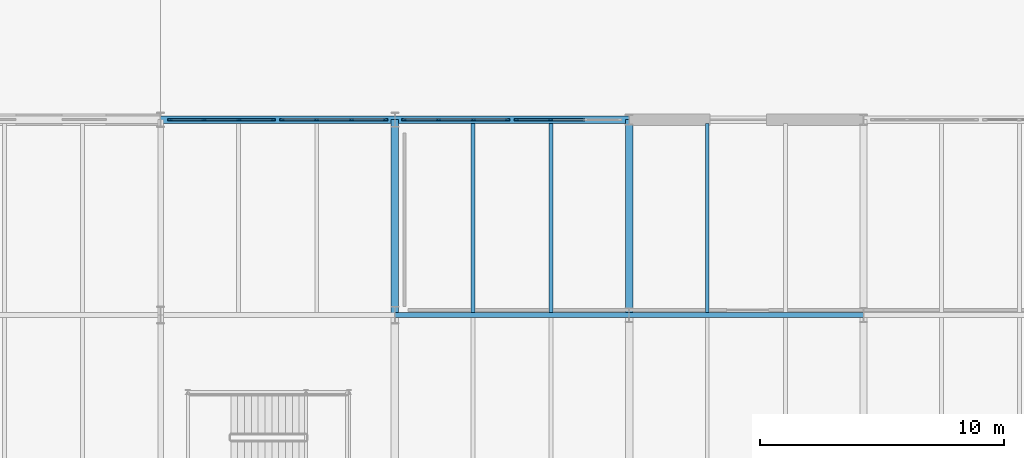
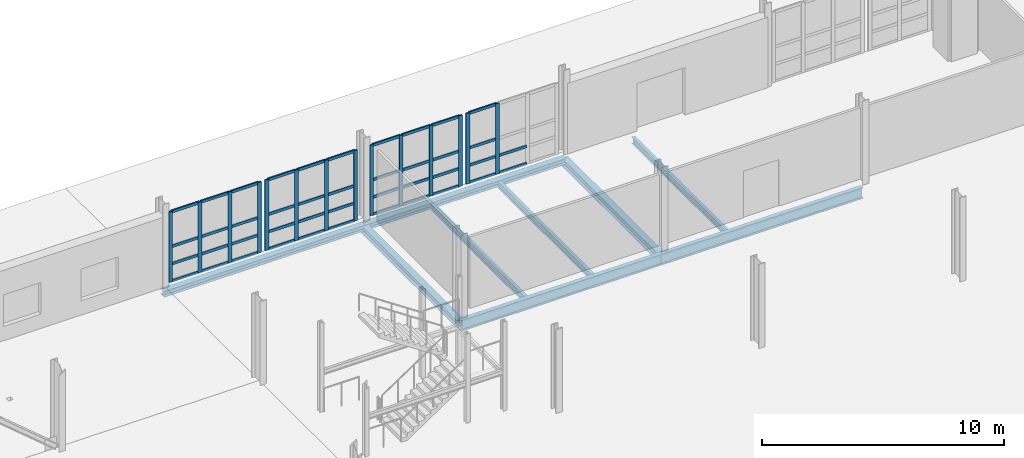
# One storey, part 38 of 78: 56 members, 9 beams, 4 elements without a shape of their own.
"""IFC4 building model written with IfcOpenShell, lengths in metres."""

from ifc_helpers import new_model, si_unit, direction, frame, origin, origin_2d, place, context, subcontext, project, spatial, rectangle, i_section, extrude, material, layer, layer_set, material_profile, profile_set, type_object, element, aggregate, save


model = new_model("IFC4")

# Units and contexts
model_context = context("Model", 3, precision=1e-05, world=origin(), true_north=direction((0.0, 1.0)))
body_context = subcontext(model_context, "Body", "Model", "MODEL_VIEW")
ifc_project = project(units=[si_unit("LENGTHUNIT", "METRE"), si_unit("AREAUNIT", "SQUARE_METRE"), si_unit("VOLUMEUNIT", "CUBIC_METRE"), si_unit("PLANEANGLEUNIT", "RADIAN"), si_unit("MASSUNIT", "GRAM", prefix="KILO")], contexts=[model_context])

# Site, building, storey
site_placement = place(None, origin())
site = spatial("IfcSite", under=ifc_project, at=site_placement, CompositionType="ELEMENT")
building_placement = place(site_placement, origin())
building = spatial("IfcBuilding", under=site, at=building_placement, Name="Alderhovde Museum", CompositionType="ELEMENT")
storey_placement = place(building_placement, origin())
storey = spatial("IfcBuildingStorey", under=building, at=storey_placement, Name="L00", CompositionType="ELEMENT", Elevation=0.0)

# Beams
ifc_material_1 = material(Name="Steel S355J2", Category="steel")
ifc_material_profile_1 = material_profile(ifc_material_1, i_section(OverallWidth=0.300048828125, OverallDepth=0.389892578125, WebThickness=0.010986328125, FlangeThickness=0.01904296875, FilletRadius=0.027099609375, at=origin_2d()), Name="HEA 400")
ifc_profile_set_1 = profile_set([ifc_material_profile_1], Name="Steel S355J2")
beam_type_1 = type_object("IfcBeamType", Name="BM-HEA400", PredefinedType="BEAM", material=ifc_profile_set_1)
for number, where, z_axis, x_axis, name in (
    (1, (86.39990234375, 80.0, -0.47509765625), (0.0, 1.0, 0.0), (-1.0, 0.0, 0.0), "L00 Grid Beam X=86.4 (80.0 TO 88.0)"),
    (2, (96.0, 80.0, -0.47509765625), (0.0, 1.0, 0.0), (-1.0, 0.0, 0.0), "L00 Grid Beam X=96.0 (80.0 TO 88.0)"),
):
    element("IfcBeam", number, at=place(storey_placement, frame(where, z_axis=z_axis, x_axis=x_axis)), inside=storey, type_object=beam_type_1, Name=name, PredefinedType="BEAM", context=body_context, shape_type="SweptSolid", body=[
        extrude(i_section(OverallWidth=0.300048828125, OverallDepth=0.389892578125, WebThickness=0.010986328125, FlangeThickness=0.01904296875, FilletRadius=0.027099609375, at=origin_2d()), origin(), (0.0, 0.0, 1.0), 8.0),
    ])
ifc_material_2 = material(Name="Steel S355J2", Category="steel")
ifc_material_profile_2 = material_profile(ifc_material_2, i_section(OverallWidth=0.2099609375, OverallDepth=0.550048828125, WebThickness=0.010986328125, FlangeThickness=0.01708984375, FilletRadius=0.02392578125, at=origin_2d()), Name="IPE 550")
ifc_profile_set_2 = profile_set([ifc_material_profile_2], Name="Steel S355J2")
beam_type_2 = type_object("IfcBeamType", Name="BM-IPE550", PredefinedType="BEAM", material=ifc_profile_set_2)
for number, where, z_axis, x_axis, name in (
    (3, (86.39990234375, 80.0, -0.554931640625), (1.0, 0.0, 0.0), (0.0, 1.0, 0.0), "L00 Grid Beam Y=80.0 (86.4 TO 96.0)"),
    (4, (96.0, 80.0, -0.554931640625), (1.0, 0.0, 0.0), (0.0, 1.0, 0.0), "L00 Grid Beam Y=80.0 (96.0 TO 105.6)"),
):
    element("IfcBeam", number, at=place(storey_placement, frame(where, z_axis=z_axis, x_axis=x_axis)), inside=storey, type_object=beam_type_2, Name=name, PredefinedType="BEAM", context=body_context, shape_type="SweptSolid", body=[
        extrude(i_section(OverallWidth=0.2099609375, OverallDepth=0.550048828125, WebThickness=0.010986328125, FlangeThickness=0.01708984375, FilletRadius=0.02392578125, at=origin_2d()), origin(), (0.0, 0.0, 1.0), 9.60009765625),
    ])

# Curtain wall, members
ifc_material_3 = material(Name="Triple-Glazed Bronze-Anodised Curtain Wall", Category="glass")
ifc_layer = layer(ifc_material_3, 0.179931640625)
ifc_layer_set = layer_set([ifc_layer], Name="Triple-Glazed Bronze-Anodised Curtain Wall")
curtain_wall_type = type_object("IfcCurtainWallType", Name="CW-UNIT-430x356", PredefinedType="USERDEFINED", material=ifc_layer_set)
curtain_wall_1_placement = place(storey_placement, origin())
curtain_wall_1 = element("IfcCurtainWall", 5, at=curtain_wall_1_placement, inside=storey, type_object=curtain_wall_type, Name="L00 Unitised Curtain Wall 11", ObjectType="UNITISED CURTAIN WALL", PredefinedType="USERDEFINED")
ifc_material_4 = material(Name="Bronze-Anodised Aluminium EN AW-6063-T6", Category="aluminium")
ifc_material_profile_3 = material_profile(ifc_material_4, rectangle(XDim=0.06494140625, YDim=0.179931640625, at=origin_2d()), Name="MULLION 65x180")
ifc_profile_set_3 = profile_set([ifc_material_profile_3], Name="Bronze-Anodised Aluminium EN AW-6063-T6")
member_type_1 = type_object("IfcMemberType", Name="CWM-65x180", PredefinedType="MULLION", material=ifc_profile_set_3)
member_1_placement = place(storey_placement, frame((77.1826171875, 88.0, 0.0), z_axis=(0.0, 0.0, 1.0), x_axis=(0.0, 1.0, 0.0)))
member_1 = element("IfcMember", 6, at=member_1_placement, type_object=member_type_1, Name="CW07 mullion 1", PredefinedType="MULLION", context=body_context, shape_type="SweptSolid", body=[
    extrude(rectangle(XDim=0.06494140625, YDim=0.179931640625, at=origin_2d()), origin(), (0.0, 0.0, 1.0), 3.56005859375),
])
member_2_placement = place(storey_placement, frame((78.583251953125, 88.0, 0.0), z_axis=(0.0, 0.0, 1.0), x_axis=(0.0, 1.0, 0.0)))
member_2 = element("IfcMember", 7, at=member_2_placement, type_object=member_type_1, Name="CW07 mullion 2", PredefinedType="MULLION", context=body_context, shape_type="SweptSolid", body=[
    extrude(rectangle(XDim=0.06494140625, YDim=0.179931640625, at=origin_2d()), origin(), (0.0, 0.0, 1.0), 3.56005859375),
])
member_3_placement = place(storey_placement, frame((80.0166015625, 88.0, 0.0), z_axis=(0.0, 0.0, 1.0), x_axis=(0.0, 1.0, 0.0)))
member_3 = element("IfcMember", 8, at=member_3_placement, type_object=member_type_1, Name="CW07 mullion 3", PredefinedType="MULLION", context=body_context, shape_type="SweptSolid", body=[
    extrude(rectangle(XDim=0.06494140625, YDim=0.179931640625, at=origin_2d()), origin(), (0.0, 0.0, 1.0), 3.56005859375),
])
member_4_placement = place(storey_placement, frame((81.41748046875, 88.0, 0.0), z_axis=(0.0, 0.0, 1.0), x_axis=(0.0, 1.0, 0.0)))
member_4 = element("IfcMember", 9, at=member_4_placement, type_object=member_type_1, Name="CW07 mullion 4", PredefinedType="MULLION", context=body_context, shape_type="SweptSolid", body=[
    extrude(rectangle(XDim=0.06494140625, YDim=0.179931640625, at=origin_2d()), origin(), (0.0, 0.0, 1.0), 3.56005859375),
])

curtain_wall_2_placement = place(storey_placement, origin())
curtain_wall_2 = element("IfcCurtainWall", 10, at=curtain_wall_2_placement, inside=storey, type_object=curtain_wall_type, Name="L00 Unitised Curtain Wall 12", ObjectType="UNITISED CURTAIN WALL", PredefinedType="USERDEFINED")
member_5_placement = place(storey_placement, frame((81.782470703125, 88.0, 0.0), z_axis=(0.0, 0.0, 1.0), x_axis=(0.0, 1.0, 0.0)))
member_5 = element("IfcMember", 11, at=member_5_placement, type_object=member_type_1, Name="CW07 mullion 1", PredefinedType="MULLION", context=body_context, shape_type="SweptSolid", body=[
    extrude(rectangle(XDim=0.06494140625, YDim=0.179931640625, at=origin_2d()), origin(), (0.0, 0.0, 1.0), 3.56005859375),
])
member_6_placement = place(storey_placement, frame((83.183349609375, 88.0, 0.0), z_axis=(0.0, 0.0, 1.0), x_axis=(0.0, 1.0, 0.0)))
member_6 = element("IfcMember", 12, at=member_6_placement, type_object=member_type_1, Name="CW07 mullion 2", PredefinedType="MULLION", context=body_context, shape_type="SweptSolid", body=[
    extrude(rectangle(XDim=0.06494140625, YDim=0.179931640625, at=origin_2d()), origin(), (0.0, 0.0, 1.0), 3.56005859375),
])
member_7_placement = place(storey_placement, frame((84.61669921875, 88.0, 0.0), z_axis=(0.0, 0.0, 1.0), x_axis=(0.0, 1.0, 0.0)))
member_7 = element("IfcMember", 13, at=member_7_placement, type_object=member_type_1, Name="CW07 mullion 3", PredefinedType="MULLION", context=body_context, shape_type="SweptSolid", body=[
    extrude(rectangle(XDim=0.06494140625, YDim=0.179931640625, at=origin_2d()), origin(), (0.0, 0.0, 1.0), 3.56005859375),
])
member_8_placement = place(storey_placement, frame((86.017578125, 88.0, 0.0), z_axis=(0.0, 0.0, 1.0), x_axis=(0.0, 1.0, 0.0)))
member_8 = element("IfcMember", 14, at=member_8_placement, type_object=member_type_1, Name="CW07 mullion 4", PredefinedType="MULLION", context=body_context, shape_type="SweptSolid", body=[
    extrude(rectangle(XDim=0.06494140625, YDim=0.179931640625, at=origin_2d()), origin(), (0.0, 0.0, 1.0), 3.56005859375),
])

curtain_wall_3_placement = place(storey_placement, origin())
curtain_wall_3 = element("IfcCurtainWall", 15, at=curtain_wall_3_placement, inside=storey, type_object=curtain_wall_type, Name="L00 Unitised Curtain Wall 13", ObjectType="UNITISED CURTAIN WALL", PredefinedType="USERDEFINED")
member_9_placement = place(storey_placement, frame((86.782470703125, 88.0, 0.0), z_axis=(0.0, 0.0, 1.0), x_axis=(0.0, 1.0, 0.0)))
member_9 = element("IfcMember", 16, at=member_9_placement, type_object=member_type_1, Name="CW07 mullion 1", PredefinedType="MULLION", context=body_context, shape_type="SweptSolid", body=[
    extrude(rectangle(XDim=0.06494140625, YDim=0.179931640625, at=origin_2d()), origin(), (0.0, 0.0, 1.0), 3.56005859375),
])
member_10_placement = place(storey_placement, frame((88.183349609375, 88.0, 0.0), z_axis=(0.0, 0.0, 1.0), x_axis=(0.0, 1.0, 0.0)))
member_10 = element("IfcMember", 17, at=member_10_placement, type_object=member_type_1, Name="CW07 mullion 2", PredefinedType="MULLION", context=body_context, shape_type="SweptSolid", body=[
    extrude(rectangle(XDim=0.06494140625, YDim=0.179931640625, at=origin_2d()), origin(), (0.0, 0.0, 1.0), 3.56005859375),
])
member_11_placement = place(storey_placement, frame((89.61669921875, 88.0, 0.0), z_axis=(0.0, 0.0, 1.0), x_axis=(0.0, 1.0, 0.0)))
member_11 = element("IfcMember", 18, at=member_11_placement, type_object=member_type_1, Name="CW07 mullion 3", PredefinedType="MULLION", context=body_context, shape_type="SweptSolid", body=[
    extrude(rectangle(XDim=0.06494140625, YDim=0.179931640625, at=origin_2d()), origin(), (0.0, 0.0, 1.0), 3.56005859375),
])
member_12_placement = place(storey_placement, frame((91.017578125, 88.0, 0.0), z_axis=(0.0, 0.0, 1.0), x_axis=(0.0, 1.0, 0.0)))
member_12 = element("IfcMember", 19, at=member_12_placement, type_object=member_type_1, Name="CW07 mullion 4", PredefinedType="MULLION", context=body_context, shape_type="SweptSolid", body=[
    extrude(rectangle(XDim=0.06494140625, YDim=0.179931640625, at=origin_2d()), origin(), (0.0, 0.0, 1.0), 3.56005859375),
])

curtain_wall_4_placement = place(storey_placement, origin())
curtain_wall_4 = element("IfcCurtainWall", 20, at=curtain_wall_4_placement, inside=storey, type_object=curtain_wall_type, Name="L00 Unitised Curtain Wall 14", ObjectType="UNITISED CURTAIN WALL", PredefinedType="USERDEFINED")
member_13_placement = place(storey_placement, frame((91.382568359375, 88.0, 0.0), z_axis=(0.0, 0.0, 1.0), x_axis=(0.0, 1.0, 0.0)))
member_13 = element("IfcMember", 21, at=member_13_placement, type_object=member_type_1, Name="CW07 mullion 1", PredefinedType="MULLION", context=body_context, shape_type="SweptSolid", body=[
    extrude(rectangle(XDim=0.06494140625, YDim=0.179931640625, at=origin_2d()), origin(), (0.0, 0.0, 1.0), 3.56005859375),
])
member_14_placement = place(storey_placement, frame((92.783447265625, 88.0, 0.0), z_axis=(0.0, 0.0, 1.0), x_axis=(0.0, 1.0, 0.0)))
member_14 = element("IfcMember", 22, at=member_14_placement, type_object=member_type_1, Name="CW07 mullion 2", PredefinedType="MULLION", context=body_context, shape_type="SweptSolid", body=[
    extrude(rectangle(XDim=0.06494140625, YDim=0.179931640625, at=origin_2d()), origin(), (0.0, 0.0, 1.0), 3.56005859375),
])

# Member
ifc_material_5 = material(Name="Bronze-Anodised Aluminium EN AW-6063-T6", Category="aluminium")
ifc_material_profile_4 = material_profile(ifc_material_5, rectangle(XDim=0.06494140625, YDim=0.139892578125, at=origin_2d()), Name="TRANSOM 65x140")
ifc_profile_set_4 = profile_set([ifc_material_profile_4], Name="Bronze-Anodised Aluminium EN AW-6063-T6")
member_type_2 = type_object("IfcMemberType", Name="CWT-65x140", PredefinedType="USERDEFINED", material=ifc_profile_set_4)
member_15_placement = place(storey_placement, frame((77.215087890625, 88.0, 0.032470703125), z_axis=(1.0, 0.0, 0.0), x_axis=(0.0, 1.0, 0.0)))
member_15 = element("IfcMember", 23, at=member_15_placement, type_object=member_type_2, Name="CW07 transom 1.1", ObjectType="TRANSOM", PredefinedType="USERDEFINED", context=body_context, shape_type="SweptSolid", body=[
    extrude(rectangle(XDim=0.06494140625, YDim=0.139892578125, at=origin_2d()), origin(), (0.0, 0.0, 1.0), 1.335693359375),
])

member_16_placement = place(storey_placement, frame((77.215087890625, 88.0, 0.89990234375), z_axis=(1.0, 0.0, 0.0), x_axis=(0.0, 1.0, 0.0)))
member_16 = element("IfcMember", 24, at=member_16_placement, type_object=member_type_2, Name="CW07 transom 1.2", ObjectType="TRANSOM", PredefinedType="USERDEFINED", context=body_context, shape_type="SweptSolid", body=[
    extrude(rectangle(XDim=0.06494140625, YDim=0.139892578125, at=origin_2d()), origin(), (0.0, 0.0, 1.0), 1.335693359375),
])

member_17_placement = place(storey_placement, frame((77.215087890625, 88.0, 1.780029296875), z_axis=(1.0, 0.0, 0.0), x_axis=(0.0, 1.0, 0.0)))
member_17 = element("IfcMember", 25, at=member_17_placement, type_object=member_type_2, Name="CW07 transom 1.3", ObjectType="TRANSOM", PredefinedType="USERDEFINED", context=body_context, shape_type="SweptSolid", body=[
    extrude(rectangle(XDim=0.06494140625, YDim=0.139892578125, at=origin_2d()), origin(), (0.0, 0.0, 1.0), 1.335693359375),
])

member_18_placement = place(storey_placement, frame((77.215087890625, 88.0, 3.527587890625), z_axis=(1.0, 0.0, 0.0), x_axis=(0.0, 1.0, 0.0)))
member_18 = element("IfcMember", 26, at=member_18_placement, type_object=member_type_2, Name="CW07 transom 1.4", ObjectType="TRANSOM", PredefinedType="USERDEFINED", context=body_context, shape_type="SweptSolid", body=[
    extrude(rectangle(XDim=0.06494140625, YDim=0.139892578125, at=origin_2d()), origin(), (0.0, 0.0, 1.0), 1.335693359375),
])

member_19_placement = place(storey_placement, frame((78.61572265625, 88.0, 0.032470703125), z_axis=(1.0, 0.0, 0.0), x_axis=(0.0, 1.0, 0.0)))
member_19 = element("IfcMember", 27, at=member_19_placement, type_object=member_type_2, Name="CW07 transom 2.1", ObjectType="TRANSOM", PredefinedType="USERDEFINED", context=body_context, shape_type="SweptSolid", body=[
    extrude(rectangle(XDim=0.06494140625, YDim=0.139892578125, at=origin_2d()), origin(), (0.0, 0.0, 1.0), 1.368408203125),
])

member_20_placement = place(storey_placement, frame((78.61572265625, 88.0, 0.89990234375), z_axis=(1.0, 0.0, 0.0), x_axis=(0.0, 1.0, 0.0)))
member_20 = element("IfcMember", 28, at=member_20_placement, type_object=member_type_2, Name="CW07 transom 2.2", ObjectType="TRANSOM", PredefinedType="USERDEFINED", context=body_context, shape_type="SweptSolid", body=[
    extrude(rectangle(XDim=0.06494140625, YDim=0.139892578125, at=origin_2d()), origin(), (0.0, 0.0, 1.0), 1.368408203125),
])

member_21_placement = place(storey_placement, frame((78.61572265625, 88.0, 1.780029296875), z_axis=(1.0, 0.0, 0.0), x_axis=(0.0, 1.0, 0.0)))
member_21 = element("IfcMember", 29, at=member_21_placement, type_object=member_type_2, Name="CW07 transom 2.3", ObjectType="TRANSOM", PredefinedType="USERDEFINED", context=body_context, shape_type="SweptSolid", body=[
    extrude(rectangle(XDim=0.06494140625, YDim=0.139892578125, at=origin_2d()), origin(), (0.0, 0.0, 1.0), 1.368408203125),
])

member_22_placement = place(storey_placement, frame((78.61572265625, 88.0, 3.527587890625), z_axis=(1.0, 0.0, 0.0), x_axis=(0.0, 1.0, 0.0)))
member_22 = element("IfcMember", 30, at=member_22_placement, type_object=member_type_2, Name="CW07 transom 2.4", ObjectType="TRANSOM", PredefinedType="USERDEFINED", context=body_context, shape_type="SweptSolid", body=[
    extrude(rectangle(XDim=0.06494140625, YDim=0.139892578125, at=origin_2d()), origin(), (0.0, 0.0, 1.0), 1.368408203125),
])

member_23_placement = place(storey_placement, frame((80.049072265625, 88.0, 0.032470703125), z_axis=(1.0, 0.0, 0.0), x_axis=(0.0, 1.0, 0.0)))
member_23 = element("IfcMember", 31, at=member_23_placement, type_object=member_type_2, Name="CW07 transom 3.1", ObjectType="TRANSOM", PredefinedType="USERDEFINED", context=body_context, shape_type="SweptSolid", body=[
    extrude(rectangle(XDim=0.06494140625, YDim=0.139892578125, at=origin_2d()), origin(), (0.0, 0.0, 1.0), 1.3359375),
])

member_24_placement = place(storey_placement, frame((80.049072265625, 88.0, 0.89990234375), z_axis=(1.0, 0.0, 0.0), x_axis=(0.0, 1.0, 0.0)))
member_24 = element("IfcMember", 32, at=member_24_placement, type_object=member_type_2, Name="CW07 transom 3.2", ObjectType="TRANSOM", PredefinedType="USERDEFINED", context=body_context, shape_type="SweptSolid", body=[
    extrude(rectangle(XDim=0.06494140625, YDim=0.139892578125, at=origin_2d()), origin(), (0.0, 0.0, 1.0), 1.3359375),
])

member_25_placement = place(storey_placement, frame((80.049072265625, 88.0, 1.780029296875), z_axis=(1.0, 0.0, 0.0), x_axis=(0.0, 1.0, 0.0)))
member_25 = element("IfcMember", 33, at=member_25_placement, type_object=member_type_2, Name="CW07 transom 3.3", ObjectType="TRANSOM", PredefinedType="USERDEFINED", context=body_context, shape_type="SweptSolid", body=[
    extrude(rectangle(XDim=0.06494140625, YDim=0.139892578125, at=origin_2d()), origin(), (0.0, 0.0, 1.0), 1.3359375),
])

member_26_placement = place(storey_placement, frame((80.049072265625, 88.0, 3.527587890625), z_axis=(1.0, 0.0, 0.0), x_axis=(0.0, 1.0, 0.0)))
member_26 = element("IfcMember", 34, at=member_26_placement, type_object=member_type_2, Name="CW07 transom 3.4", ObjectType="TRANSOM", PredefinedType="USERDEFINED", context=body_context, shape_type="SweptSolid", body=[
    extrude(rectangle(XDim=0.06494140625, YDim=0.139892578125, at=origin_2d()), origin(), (0.0, 0.0, 1.0), 1.3359375),
])

aggregate(curtain_wall_1, [member_1, member_2, member_3, member_4, member_15, member_16, member_17, member_18, member_19, member_20, member_21, member_22, member_23, member_24, member_25, member_26])

member_27_placement = place(storey_placement, frame((81.81494140625, 88.0, 0.032470703125), z_axis=(1.0, 0.0, 0.0), x_axis=(0.0, 1.0, 0.0)))
member_27 = element("IfcMember", 35, at=member_27_placement, type_object=member_type_2, Name="CW07 transom 1.1", ObjectType="TRANSOM", PredefinedType="USERDEFINED", context=body_context, shape_type="SweptSolid", body=[
    extrude(rectangle(XDim=0.06494140625, YDim=0.139892578125, at=origin_2d()), origin(), (0.0, 0.0, 1.0), 1.3359375),
])

member_28_placement = place(storey_placement, frame((81.81494140625, 88.0, 0.89990234375), z_axis=(1.0, 0.0, 0.0), x_axis=(0.0, 1.0, 0.0)))
member_28 = element("IfcMember", 36, at=member_28_placement, type_object=member_type_2, Name="CW07 transom 1.2", ObjectType="TRANSOM", PredefinedType="USERDEFINED", context=body_context, shape_type="SweptSolid", body=[
    extrude(rectangle(XDim=0.06494140625, YDim=0.139892578125, at=origin_2d()), origin(), (0.0, 0.0, 1.0), 1.3359375),
])

member_29_placement = place(storey_placement, frame((81.81494140625, 88.0, 1.780029296875), z_axis=(1.0, 0.0, 0.0), x_axis=(0.0, 1.0, 0.0)))
member_29 = element("IfcMember", 37, at=member_29_placement, type_object=member_type_2, Name="CW07 transom 1.3", ObjectType="TRANSOM", PredefinedType="USERDEFINED", context=body_context, shape_type="SweptSolid", body=[
    extrude(rectangle(XDim=0.06494140625, YDim=0.139892578125, at=origin_2d()), origin(), (0.0, 0.0, 1.0), 1.3359375),
])

member_30_placement = place(storey_placement, frame((81.81494140625, 88.0, 3.527587890625), z_axis=(1.0, 0.0, 0.0), x_axis=(0.0, 1.0, 0.0)))
member_30 = element("IfcMember", 38, at=member_30_placement, type_object=member_type_2, Name="CW07 transom 1.4", ObjectType="TRANSOM", PredefinedType="USERDEFINED", context=body_context, shape_type="SweptSolid", body=[
    extrude(rectangle(XDim=0.06494140625, YDim=0.139892578125, at=origin_2d()), origin(), (0.0, 0.0, 1.0), 1.3359375),
])

member_31_placement = place(storey_placement, frame((83.2158203125, 88.0, 0.032470703125), z_axis=(1.0, 0.0, 0.0), x_axis=(0.0, 1.0, 0.0)))
member_31 = element("IfcMember", 39, at=member_31_placement, type_object=member_type_2, Name="CW07 transom 2.1", ObjectType="TRANSOM", PredefinedType="USERDEFINED", context=body_context, shape_type="SweptSolid", body=[
    extrude(rectangle(XDim=0.06494140625, YDim=0.139892578125, at=origin_2d()), origin(), (0.0, 0.0, 1.0), 1.368408203125),
])

member_32_placement = place(storey_placement, frame((83.2158203125, 88.0, 0.89990234375), z_axis=(1.0, 0.0, 0.0), x_axis=(0.0, 1.0, 0.0)))
member_32 = element("IfcMember", 40, at=member_32_placement, type_object=member_type_2, Name="CW07 transom 2.2", ObjectType="TRANSOM", PredefinedType="USERDEFINED", context=body_context, shape_type="SweptSolid", body=[
    extrude(rectangle(XDim=0.06494140625, YDim=0.139892578125, at=origin_2d()), origin(), (0.0, 0.0, 1.0), 1.368408203125),
])

member_33_placement = place(storey_placement, frame((83.2158203125, 88.0, 1.780029296875), z_axis=(1.0, 0.0, 0.0), x_axis=(0.0, 1.0, 0.0)))
member_33 = element("IfcMember", 41, at=member_33_placement, type_object=member_type_2, Name="CW07 transom 2.3", ObjectType="TRANSOM", PredefinedType="USERDEFINED", context=body_context, shape_type="SweptSolid", body=[
    extrude(rectangle(XDim=0.06494140625, YDim=0.139892578125, at=origin_2d()), origin(), (0.0, 0.0, 1.0), 1.368408203125),
])

member_34_placement = place(storey_placement, frame((83.2158203125, 88.0, 3.527587890625), z_axis=(1.0, 0.0, 0.0), x_axis=(0.0, 1.0, 0.0)))
member_34 = element("IfcMember", 42, at=member_34_placement, type_object=member_type_2, Name="CW07 transom 2.4", ObjectType="TRANSOM", PredefinedType="USERDEFINED", context=body_context, shape_type="SweptSolid", body=[
    extrude(rectangle(XDim=0.06494140625, YDim=0.139892578125, at=origin_2d()), origin(), (0.0, 0.0, 1.0), 1.368408203125),
])

member_35_placement = place(storey_placement, frame((84.649169921875, 88.0, 0.032470703125), z_axis=(1.0, 0.0, 0.0), x_axis=(0.0, 1.0, 0.0)))
member_35 = element("IfcMember", 43, at=member_35_placement, type_object=member_type_2, Name="CW07 transom 3.1", ObjectType="TRANSOM", PredefinedType="USERDEFINED", context=body_context, shape_type="SweptSolid", body=[
    extrude(rectangle(XDim=0.06494140625, YDim=0.139892578125, at=origin_2d()), origin(), (0.0, 0.0, 1.0), 1.3359375),
])

member_36_placement = place(storey_placement, frame((84.649169921875, 88.0, 0.89990234375), z_axis=(1.0, 0.0, 0.0), x_axis=(0.0, 1.0, 0.0)))
member_36 = element("IfcMember", 44, at=member_36_placement, type_object=member_type_2, Name="CW07 transom 3.2", ObjectType="TRANSOM", PredefinedType="USERDEFINED", context=body_context, shape_type="SweptSolid", body=[
    extrude(rectangle(XDim=0.06494140625, YDim=0.139892578125, at=origin_2d()), origin(), (0.0, 0.0, 1.0), 1.3359375),
])

member_37_placement = place(storey_placement, frame((84.649169921875, 88.0, 1.780029296875), z_axis=(1.0, 0.0, 0.0), x_axis=(0.0, 1.0, 0.0)))
member_37 = element("IfcMember", 45, at=member_37_placement, type_object=member_type_2, Name="CW07 transom 3.3", ObjectType="TRANSOM", PredefinedType="USERDEFINED", context=body_context, shape_type="SweptSolid", body=[
    extrude(rectangle(XDim=0.06494140625, YDim=0.139892578125, at=origin_2d()), origin(), (0.0, 0.0, 1.0), 1.3359375),
])

member_38_placement = place(storey_placement, frame((84.649169921875, 88.0, 3.527587890625), z_axis=(1.0, 0.0, 0.0), x_axis=(0.0, 1.0, 0.0)))
member_38 = element("IfcMember", 46, at=member_38_placement, type_object=member_type_2, Name="CW07 transom 3.4", ObjectType="TRANSOM", PredefinedType="USERDEFINED", context=body_context, shape_type="SweptSolid", body=[
    extrude(rectangle(XDim=0.06494140625, YDim=0.139892578125, at=origin_2d()), origin(), (0.0, 0.0, 1.0), 1.3359375),
])

aggregate(curtain_wall_2, [member_5, member_6, member_7, member_8, member_27, member_28, member_29, member_30, member_31, member_32, member_33, member_34, member_35, member_36, member_37, member_38])

member_39_placement = place(storey_placement, frame((86.81494140625, 88.0, 0.032470703125), z_axis=(1.0, 0.0, 0.0), x_axis=(0.0, 1.0, 0.0)))
member_39 = element("IfcMember", 47, at=member_39_placement, type_object=member_type_2, Name="CW07 transom 1.1", ObjectType="TRANSOM", PredefinedType="USERDEFINED", context=body_context, shape_type="SweptSolid", body=[
    extrude(rectangle(XDim=0.06494140625, YDim=0.139892578125, at=origin_2d()), origin(), (0.0, 0.0, 1.0), 1.3359375),
])

member_40_placement = place(storey_placement, frame((86.81494140625, 88.0, 0.89990234375), z_axis=(1.0, 0.0, 0.0), x_axis=(0.0, 1.0, 0.0)))
member_40 = element("IfcMember", 48, at=member_40_placement, type_object=member_type_2, Name="CW07 transom 1.2", ObjectType="TRANSOM", PredefinedType="USERDEFINED", context=body_context, shape_type="SweptSolid", body=[
    extrude(rectangle(XDim=0.06494140625, YDim=0.139892578125, at=origin_2d()), origin(), (0.0, 0.0, 1.0), 1.3359375),
])

member_41_placement = place(storey_placement, frame((86.81494140625, 88.0, 1.780029296875), z_axis=(1.0, 0.0, 0.0), x_axis=(0.0, 1.0, 0.0)))
member_41 = element("IfcMember", 49, at=member_41_placement, type_object=member_type_2, Name="CW07 transom 1.3", ObjectType="TRANSOM", PredefinedType="USERDEFINED", context=body_context, shape_type="SweptSolid", body=[
    extrude(rectangle(XDim=0.06494140625, YDim=0.139892578125, at=origin_2d()), origin(), (0.0, 0.0, 1.0), 1.3359375),
])

member_42_placement = place(storey_placement, frame((86.81494140625, 88.0, 3.527587890625), z_axis=(1.0, 0.0, 0.0), x_axis=(0.0, 1.0, 0.0)))
member_42 = element("IfcMember", 50, at=member_42_placement, type_object=member_type_2, Name="CW07 transom 1.4", ObjectType="TRANSOM", PredefinedType="USERDEFINED", context=body_context, shape_type="SweptSolid", body=[
    extrude(rectangle(XDim=0.06494140625, YDim=0.139892578125, at=origin_2d()), origin(), (0.0, 0.0, 1.0), 1.3359375),
])

member_43_placement = place(storey_placement, frame((88.2158203125, 88.0, 0.032470703125), z_axis=(1.0, 0.0, 0.0), x_axis=(0.0, 1.0, 0.0)))
member_43 = element("IfcMember", 51, at=member_43_placement, type_object=member_type_2, Name="CW07 transom 2.1", ObjectType="TRANSOM", PredefinedType="USERDEFINED", context=body_context, shape_type="SweptSolid", body=[
    extrude(rectangle(XDim=0.06494140625, YDim=0.139892578125, at=origin_2d()), origin(), (0.0, 0.0, 1.0), 1.368408203125),
])

member_44_placement = place(storey_placement, frame((88.2158203125, 88.0, 0.89990234375), z_axis=(1.0, 0.0, 0.0), x_axis=(0.0, 1.0, 0.0)))
member_44 = element("IfcMember", 52, at=member_44_placement, type_object=member_type_2, Name="CW07 transom 2.2", ObjectType="TRANSOM", PredefinedType="USERDEFINED", context=body_context, shape_type="SweptSolid", body=[
    extrude(rectangle(XDim=0.06494140625, YDim=0.139892578125, at=origin_2d()), origin(), (0.0, 0.0, 1.0), 1.368408203125),
])

member_45_placement = place(storey_placement, frame((88.2158203125, 88.0, 1.780029296875), z_axis=(1.0, 0.0, 0.0), x_axis=(0.0, 1.0, 0.0)))
member_45 = element("IfcMember", 53, at=member_45_placement, type_object=member_type_2, Name="CW07 transom 2.3", ObjectType="TRANSOM", PredefinedType="USERDEFINED", context=body_context, shape_type="SweptSolid", body=[
    extrude(rectangle(XDim=0.06494140625, YDim=0.139892578125, at=origin_2d()), origin(), (0.0, 0.0, 1.0), 1.368408203125),
])

member_46_placement = place(storey_placement, frame((88.2158203125, 88.0, 3.527587890625), z_axis=(1.0, 0.0, 0.0), x_axis=(0.0, 1.0, 0.0)))
member_46 = element("IfcMember", 54, at=member_46_placement, type_object=member_type_2, Name="CW07 transom 2.4", ObjectType="TRANSOM", PredefinedType="USERDEFINED", context=body_context, shape_type="SweptSolid", body=[
    extrude(rectangle(XDim=0.06494140625, YDim=0.139892578125, at=origin_2d()), origin(), (0.0, 0.0, 1.0), 1.368408203125),
])

member_47_placement = place(storey_placement, frame((89.649169921875, 88.0, 0.032470703125), z_axis=(1.0, 0.0, 0.0), x_axis=(0.0, 1.0, 0.0)))
member_47 = element("IfcMember", 55, at=member_47_placement, type_object=member_type_2, Name="CW07 transom 3.1", ObjectType="TRANSOM", PredefinedType="USERDEFINED", context=body_context, shape_type="SweptSolid", body=[
    extrude(rectangle(XDim=0.06494140625, YDim=0.139892578125, at=origin_2d()), origin(), (0.0, 0.0, 1.0), 1.3359375),
])

member_48_placement = place(storey_placement, frame((89.649169921875, 88.0, 0.89990234375), z_axis=(1.0, 0.0, 0.0), x_axis=(0.0, 1.0, 0.0)))
member_48 = element("IfcMember", 56, at=member_48_placement, type_object=member_type_2, Name="CW07 transom 3.2", ObjectType="TRANSOM", PredefinedType="USERDEFINED", context=body_context, shape_type="SweptSolid", body=[
    extrude(rectangle(XDim=0.06494140625, YDim=0.139892578125, at=origin_2d()), origin(), (0.0, 0.0, 1.0), 1.3359375),
])

member_49_placement = place(storey_placement, frame((89.649169921875, 88.0, 1.780029296875), z_axis=(1.0, 0.0, 0.0), x_axis=(0.0, 1.0, 0.0)))
member_49 = element("IfcMember", 57, at=member_49_placement, type_object=member_type_2, Name="CW07 transom 3.3", ObjectType="TRANSOM", PredefinedType="USERDEFINED", context=body_context, shape_type="SweptSolid", body=[
    extrude(rectangle(XDim=0.06494140625, YDim=0.139892578125, at=origin_2d()), origin(), (0.0, 0.0, 1.0), 1.3359375),
])

member_50_placement = place(storey_placement, frame((89.649169921875, 88.0, 3.527587890625), z_axis=(1.0, 0.0, 0.0), x_axis=(0.0, 1.0, 0.0)))
member_50 = element("IfcMember", 58, at=member_50_placement, type_object=member_type_2, Name="CW07 transom 3.4", ObjectType="TRANSOM", PredefinedType="USERDEFINED", context=body_context, shape_type="SweptSolid", body=[
    extrude(rectangle(XDim=0.06494140625, YDim=0.139892578125, at=origin_2d()), origin(), (0.0, 0.0, 1.0), 1.3359375),
])

aggregate(curtain_wall_3, [member_9, member_10, member_11, member_12, member_39, member_40, member_41, member_42, member_43, member_44, member_45, member_46, member_47, member_48, member_49, member_50])

member_51_placement = place(storey_placement, frame((91.4150390625, 88.0, 0.032470703125), z_axis=(1.0, 0.0, 0.0), x_axis=(0.0, 1.0, 0.0)))
member_51 = element("IfcMember", 59, at=member_51_placement, type_object=member_type_2, Name="CW07 transom 1.1", ObjectType="TRANSOM", PredefinedType="USERDEFINED", context=body_context, shape_type="SweptSolid", body=[
    extrude(rectangle(XDim=0.06494140625, YDim=0.139892578125, at=origin_2d()), origin(), (0.0, 0.0, 1.0), 1.335693359375),
])

member_52_placement = place(storey_placement, frame((91.4150390625, 88.0, 0.89990234375), z_axis=(1.0, 0.0, 0.0), x_axis=(0.0, 1.0, 0.0)))
member_52 = element("IfcMember", 60, at=member_52_placement, type_object=member_type_2, Name="CW07 transom 1.2", ObjectType="TRANSOM", PredefinedType="USERDEFINED", context=body_context, shape_type="SweptSolid", body=[
    extrude(rectangle(XDim=0.06494140625, YDim=0.139892578125, at=origin_2d()), origin(), (0.0, 0.0, 1.0), 1.335693359375),
])

member_53_placement = place(storey_placement, frame((91.4150390625, 88.0, 1.780029296875), z_axis=(1.0, 0.0, 0.0), x_axis=(0.0, 1.0, 0.0)))
member_53 = element("IfcMember", 61, at=member_53_placement, type_object=member_type_2, Name="CW07 transom 1.3", ObjectType="TRANSOM", PredefinedType="USERDEFINED", context=body_context, shape_type="SweptSolid", body=[
    extrude(rectangle(XDim=0.06494140625, YDim=0.139892578125, at=origin_2d()), origin(), (0.0, 0.0, 1.0), 1.335693359375),
])

member_54_placement = place(storey_placement, frame((91.4150390625, 88.0, 3.527587890625), z_axis=(1.0, 0.0, 0.0), x_axis=(0.0, 1.0, 0.0)))
member_54 = element("IfcMember", 62, at=member_54_placement, type_object=member_type_2, Name="CW07 transom 1.4", ObjectType="TRANSOM", PredefinedType="USERDEFINED", context=body_context, shape_type="SweptSolid", body=[
    extrude(rectangle(XDim=0.06494140625, YDim=0.139892578125, at=origin_2d()), origin(), (0.0, 0.0, 1.0), 1.335693359375),
])

member_55_placement = place(storey_placement, frame((92.81591796875, 88.0, 0.032470703125), z_axis=(1.0, 0.0, 0.0), x_axis=(0.0, 1.0, 0.0)))
member_55 = element("IfcMember", 63, at=member_55_placement, type_object=member_type_2, Name="CW07 transom 2.1", ObjectType="TRANSOM", PredefinedType="USERDEFINED", context=body_context, shape_type="SweptSolid", body=[
    extrude(rectangle(XDim=0.06494140625, YDim=0.139892578125, at=origin_2d()), origin(), (0.0, 0.0, 1.0), 1.3681640625),
])

member_56_placement = place(storey_placement, frame((92.81591796875, 88.0, 0.89990234375), z_axis=(1.0, 0.0, 0.0), x_axis=(0.0, 1.0, 0.0)))
member_56 = element("IfcMember", 64, at=member_56_placement, type_object=member_type_2, Name="CW07 transom 2.2", ObjectType="TRANSOM", PredefinedType="USERDEFINED", context=body_context, shape_type="SweptSolid", body=[
    extrude(rectangle(XDim=0.06494140625, YDim=0.139892578125, at=origin_2d()), origin(), (0.0, 0.0, 1.0), 1.3681640625),
])

aggregate(curtain_wall_4, [member_13, member_14, member_51, member_52, member_53, member_54, member_55, member_56])

# Beams
ifc_material_6 = material(Name="Steel S355J2", Category="steel")
ifc_material_profile_5 = material_profile(ifc_material_6, i_section(OverallWidth=0.159912109375, OverallDepth=0.330078125, WebThickness=0.007568359375, FlangeThickness=0.011474609375, FilletRadius=0.01806640625, at=origin_2d()), Name="IPE 330")
ifc_profile_set_5 = profile_set([ifc_material_profile_5], Name="Steel S355J2")
beam_type_3 = type_object("IfcBeamType", Name="JST-IPE330", PredefinedType="JOIST", material=ifc_profile_set_5)
for number, where, z_axis, x_axis, name in (
    (65, (89.60009765625, 80.10498046875, -0.445068359375), (0.0, 1.0, 0.0), (-1.0, 0.0, 0.0), "L00 Composite Joist X=89.6 (80.0 TO 88.0)"),
    (66, (92.800048828125, 80.10498046875, -0.445068359375), (0.0, 1.0, 0.0), (-1.0, 0.0, 0.0), "L00 Composite Joist X=92.8 (80.0 TO 88.0)"),
    (67, (99.199951171875, 80.10498046875, -0.445068359375), (0.0, 1.0, 0.0), (-1.0, 0.0, 0.0), "L00 Composite Joist X=99.2 (80.0 TO 88.0)"),
):
    element("IfcBeam", number, at=place(storey_placement, frame(where, z_axis=z_axis, x_axis=x_axis)), inside=storey, type_object=beam_type_3, Name=name, PredefinedType="JOIST", context=body_context, shape_type="SweptSolid", body=[
        extrude(i_section(OverallWidth=0.159912109375, OverallDepth=0.330078125, WebThickness=0.007568359375, FlangeThickness=0.011474609375, FilletRadius=0.01806640625, at=origin_2d()), origin(), (0.0, 0.0, 1.0), 7.7451171875),
    ])
ifc_material_7 = material(Name="Steel S355J2", Category="steel")
ifc_material_profile_6 = material_profile(ifc_material_7, i_section(OverallWidth=0.300048828125, OverallDepth=0.2900390625, WebThickness=0.008544921875, FlangeThickness=0.013916015625, FilletRadius=0.027099609375, at=origin_2d()), Name="HEA 300")
ifc_profile_set_6 = profile_set([ifc_material_profile_6], Name="Steel S355J2")
beam_type_4 = type_object("IfcBeamType", Name="SPD-HEA300", PredefinedType="SPANDREL", material=ifc_profile_set_6)
beam_1_placement = place(storey_placement, frame((76.800048828125, 88.0, -0.425048828125), z_axis=(1.0, 0.0, 0.0), x_axis=(0.0, 1.0, 0.0)))
element("IfcBeam", 68, at=beam_1_placement, inside=storey, type_object=beam_type_4, Name="L00 Grid Beam Y=88.0 (76.8 TO 86.4)", PredefinedType="SPANDREL", context=body_context, shape_type="SweptSolid", body=[
    extrude(i_section(OverallWidth=0.300048828125, OverallDepth=0.2900390625, WebThickness=0.008544921875, FlangeThickness=0.013916015625, FilletRadius=0.027099609375, at=origin_2d()), origin(), (0.0, 0.0, 1.0), 9.599853515625),
])
beam_2_placement = place(storey_placement, frame((86.39990234375, 88.0, -0.425048828125), z_axis=(1.0, 0.0, 0.0), x_axis=(0.0, 1.0, 0.0)))
element("IfcBeam", 69, at=beam_2_placement, inside=storey, type_object=beam_type_4, Name="L00 Grid Beam Y=88.0 (86.4 TO 96.0)", PredefinedType="SPANDREL", context=body_context, shape_type="SweptSolid", body=[
    extrude(i_section(OverallWidth=0.300048828125, OverallDepth=0.2900390625, WebThickness=0.008544921875, FlangeThickness=0.013916015625, FilletRadius=0.027099609375, at=origin_2d()), origin(), (0.0, 0.0, 1.0), 9.60009765625),
])

save(model, "model.ifc")
